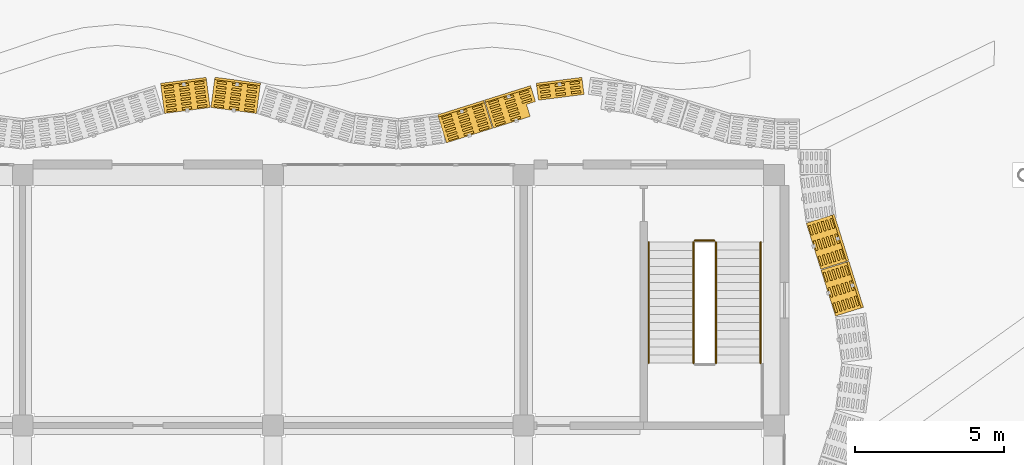
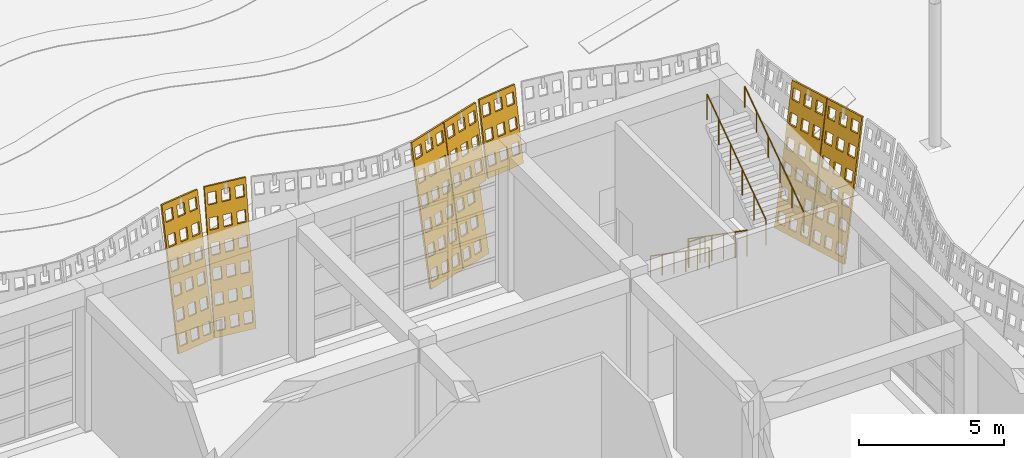
# One storey, part 163 of 210: 7 coverings, 5 railings.
"""IFC4 building model written with IfcOpenShell, lengths in metres."""

from ifc_helpers import new_model, si_unit, direction, frame, origin, origin_2d, place, context, subcontext, project, spatial, polyline, circle, outline, extrude, material, layer, layer_set, type_object, element, save


model = new_model("IFC4")

# Units and contexts
model_context = context("Model", 3, precision=1e-05, world=origin(), true_north=direction((0.0, 1.0)))
body_context = subcontext(model_context, "Body", "Model", "MODEL_VIEW")
ifc_project = project(units=[si_unit("LENGTHUNIT", "METRE"), si_unit("AREAUNIT", "SQUARE_METRE"), si_unit("VOLUMEUNIT", "CUBIC_METRE"), si_unit("PLANEANGLEUNIT", "RADIAN"), si_unit("MASSUNIT", "GRAM", prefix="KILO")], contexts=[model_context])

# Site, building, storey
site_placement = place(None, origin())
site = spatial("IfcSite", under=ifc_project, at=site_placement, CompositionType="ELEMENT")
building_placement = place(site_placement, origin())
building = spatial("IfcBuilding", under=site, at=building_placement, Name="Rain Tree Exposition and Congress Centre", CompositionType="ELEMENT")
storey_placement = place(building_placement, origin())
storey = spatial("IfcBuildingStorey", under=building, at=storey_placement, Name="L00", CompositionType="ELEMENT", Elevation=0.0)

# Coverings
ifc_material_1 = material(Name="Perforated terracotta", Category="masonry")
ifc_layer = layer(ifc_material_1, 0.080078125)
ifc_layer_set = layer_set([ifc_layer], Name="Perforated terracotta")
covering_type = type_object("IfcCoveringType", Name="Terracotta screen 80", PredefinedType="CLADDING", material=ifc_layer_set)
covering_1_placement = place(storey_placement, frame((52.544921875, 45.675048828125, 0.0), z_axis=(-0.942480618158, -0.295859611525, 0.155555053482), x_axis=(0.29950542383, -0.954094597562, 0.0)))
element("IfcCovering", 1, at=covering_1_placement, inside=storey, type_object=covering_type, Name="wing/screen/L00/064", PredefinedType="CLADDING", context=body_context, shape_type="SweptSolid", body=[
    extrude(outline(polyline([(-0.02197265625, 5.808349609375), (-0.02197265625, 0.0), (-1.635986328125, 0.0), (-1.635986328125, 5.808349609375), (-0.02197265625, 5.808349609375)]), holes=[polyline([(-0.124267578125, 0.249755859375), (-0.124267578125, 0.71826171875), (-0.457763671875, 0.71826171875), (-0.457763671875, 0.249755859375), (-0.124267578125, 0.249755859375)]), polyline([(-0.124267578125, 1.218017578125), (-0.124267578125, 1.686279296875), (-0.457763671875, 1.686279296875), (-0.457763671875, 1.218017578125), (-0.124267578125, 1.218017578125)]), polyline([(-0.124267578125, 2.18603515625), (-0.124267578125, 2.654296875), (-0.457763671875, 2.654296875), (-0.457763671875, 2.18603515625), (-0.124267578125, 2.18603515625)]), polyline([(-0.124267578125, 3.154052734375), (-0.124267578125, 3.62255859375), (-0.457763671875, 3.62255859375), (-0.457763671875, 3.154052734375), (-0.124267578125, 3.154052734375)]), polyline([(-0.124267578125, 4.1220703125), (-0.124267578125, 4.590576171875), (-0.457763671875, 4.590576171875), (-0.457763671875, 4.1220703125), (-0.124267578125, 4.1220703125)]), polyline([(-0.124267578125, 5.090087890625), (-0.124267578125, 5.55859375), (-0.457763671875, 5.55859375), (-0.457763671875, 5.090087890625), (-0.124267578125, 5.090087890625)]), polyline([(-0.662109375, 0.249755859375), (-0.662109375, 0.71826171875), (-0.995849609375, 0.71826171875), (-0.995849609375, 0.249755859375), (-0.662109375, 0.249755859375)]), polyline([(-0.662109375, 1.218017578125), (-0.662109375, 1.686279296875), (-0.995849609375, 1.686279296875), (-0.995849609375, 1.218017578125), (-0.662109375, 1.218017578125)]), polyline([(-0.662109375, 2.18603515625), (-0.662109375, 2.654296875), (-0.995849609375, 2.654296875), (-0.995849609375, 2.18603515625), (-0.662109375, 2.18603515625)]), polyline([(-0.662109375, 3.154052734375), (-0.662109375, 3.62255859375), (-0.995849609375, 3.62255859375), (-0.995849609375, 3.154052734375), (-0.662109375, 3.154052734375)]), polyline([(-0.662109375, 4.1220703125), (-0.662109375, 4.590576171875), (-0.995849609375, 4.590576171875), (-0.995849609375, 4.1220703125), (-0.662109375, 4.1220703125)]), polyline([(-0.662109375, 5.090087890625), (-0.662109375, 5.55859375), (-0.995849609375, 5.55859375), (-0.995849609375, 5.090087890625), (-0.662109375, 5.090087890625)]), polyline([(-1.2001953125, 0.249755859375), (-1.2001953125, 0.71826171875), (-1.53369140625, 0.71826171875), (-1.53369140625, 0.249755859375), (-1.2001953125, 0.249755859375)]), polyline([(-1.2001953125, 1.218017578125), (-1.2001953125, 1.686279296875), (-1.53369140625, 1.686279296875), (-1.53369140625, 1.218017578125), (-1.2001953125, 1.218017578125)]), polyline([(-1.2001953125, 2.18603515625), (-1.2001953125, 2.654296875), (-1.53369140625, 2.654296875), (-1.53369140625, 2.18603515625), (-1.2001953125, 2.18603515625)]), polyline([(-1.2001953125, 3.154052734375), (-1.2001953125, 3.62255859375), (-1.53369140625, 3.62255859375), (-1.53369140625, 3.154052734375), (-1.2001953125, 3.154052734375)]), polyline([(-1.2001953125, 4.1220703125), (-1.2001953125, 4.590576171875), (-1.53369140625, 4.590576171875), (-1.53369140625, 4.1220703125), (-1.2001953125, 4.1220703125)]), polyline([(-1.2001953125, 5.090087890625), (-1.2001953125, 5.55859375), (-1.53369140625, 5.55859375), (-1.53369140625, 5.090087890625), (-1.2001953125, 5.090087890625)])]), origin(), (0.0, 0.0, 1.0), 0.080078125),
])
covering_2_placement = place(storey_placement, frame((52.050048828125, 47.25, 0.0), z_axis=(-0.942480618158, -0.295859611525, 0.155555053482), x_axis=(0.29950542383, -0.954094597562, 0.0)))
element("IfcCovering", 2, at=covering_2_placement, inside=storey, type_object=covering_type, Name="wing/screen/L00/065", PredefinedType="CLADDING", context=body_context, shape_type="SweptSolid", body=[
    extrude(outline(polyline([(-0.014892578125, 5.808349609375), (-0.014892578125, 0.0), (-1.635986328125, 0.0), (-1.635986328125, 5.808349609375), (-0.014892578125, 5.808349609375)]), holes=[polyline([(-0.11767578125, 0.249755859375), (-0.11767578125, 0.71826171875), (-0.45263671875, 0.71826171875), (-0.45263671875, 0.249755859375), (-0.11767578125, 0.249755859375)]), polyline([(-0.11767578125, 1.218017578125), (-0.11767578125, 1.686279296875), (-0.45263671875, 1.686279296875), (-0.45263671875, 1.218017578125), (-0.11767578125, 1.218017578125)]), polyline([(-0.11767578125, 2.18603515625), (-0.11767578125, 2.654296875), (-0.45263671875, 2.654296875), (-0.45263671875, 2.18603515625), (-0.11767578125, 2.18603515625)]), polyline([(-0.11767578125, 3.154052734375), (-0.11767578125, 3.62255859375), (-0.45263671875, 3.62255859375), (-0.45263671875, 3.154052734375), (-0.11767578125, 3.154052734375)]), polyline([(-0.11767578125, 4.1220703125), (-0.11767578125, 4.590576171875), (-0.45263671875, 4.590576171875), (-0.45263671875, 4.1220703125), (-0.11767578125, 4.1220703125)]), polyline([(-0.11767578125, 5.090087890625), (-0.11767578125, 5.55859375), (-0.45263671875, 5.55859375), (-0.45263671875, 5.090087890625), (-0.11767578125, 5.090087890625)]), polyline([(-0.657958984375, 0.249755859375), (-0.657958984375, 0.71826171875), (-0.992919921875, 0.71826171875), (-0.992919921875, 0.249755859375), (-0.657958984375, 0.249755859375)]), polyline([(-0.657958984375, 1.218017578125), (-0.657958984375, 1.686279296875), (-0.992919921875, 1.686279296875), (-0.992919921875, 1.218017578125), (-0.657958984375, 1.218017578125)]), polyline([(-0.657958984375, 2.18603515625), (-0.657958984375, 2.654296875), (-0.992919921875, 2.654296875), (-0.992919921875, 2.18603515625), (-0.657958984375, 2.18603515625)]), polyline([(-0.657958984375, 3.154052734375), (-0.657958984375, 3.62255859375), (-0.992919921875, 3.62255859375), (-0.992919921875, 3.154052734375), (-0.657958984375, 3.154052734375)]), polyline([(-0.657958984375, 4.1220703125), (-0.657958984375, 4.590576171875), (-0.992919921875, 4.590576171875), (-0.992919921875, 4.1220703125), (-0.657958984375, 4.1220703125)]), polyline([(-0.657958984375, 5.090087890625), (-0.657958984375, 5.55859375), (-0.992919921875, 5.55859375), (-0.992919921875, 5.090087890625), (-0.657958984375, 5.090087890625)]), polyline([(-1.1982421875, 0.249755859375), (-1.1982421875, 0.71826171875), (-1.533203125, 0.71826171875), (-1.533203125, 0.249755859375), (-1.1982421875, 0.249755859375)]), polyline([(-1.1982421875, 1.218017578125), (-1.1982421875, 1.686279296875), (-1.533203125, 1.686279296875), (-1.533203125, 1.218017578125), (-1.1982421875, 1.218017578125)]), polyline([(-1.1982421875, 2.18603515625), (-1.1982421875, 2.654296875), (-1.533203125, 2.654296875), (-1.533203125, 2.18603515625), (-1.1982421875, 2.18603515625)]), polyline([(-1.1982421875, 3.154052734375), (-1.1982421875, 3.62255859375), (-1.533203125, 3.62255859375), (-1.533203125, 3.154052734375), (-1.1982421875, 3.154052734375)]), polyline([(-1.1982421875, 4.1220703125), (-1.1982421875, 4.590576171875), (-1.533203125, 4.590576171875), (-1.533203125, 4.1220703125), (-1.1982421875, 4.1220703125)]), polyline([(-1.1982421875, 5.090087890625), (-1.1982421875, 5.55859375), (-1.533203125, 5.55859375), (-1.533203125, 5.090087890625), (-1.1982421875, 5.090087890625)])]), origin(), (0.0, 0.0, 1.0), 0.080078125),
])
covering_3_placement = place(storey_placement, frame((44.10009765625, 52.75, 0.0), z_axis=(0.125030801275, -0.978899688033, 0.161625182136), x_axis=(0.991941518713, 0.126696580272, 0.0)))
element("IfcCovering", 3, at=covering_3_placement, inside=storey, type_object=covering_type, Name="wing/screen/L00/073", PredefinedType="CLADDING", context=body_context, shape_type="SweptSolid", body=[
    extrude(outline(polyline([(-0.025390625, 5.813720703125), (-0.025390625, 2.736083984375), (-1.56640625, 2.736083984375), (-1.56640625, 5.813720703125), (-0.025390625, 5.813720703125)]), holes=[polyline([(-0.123046875, 3.15673828125), (-0.123046875, 3.625732421875), (-0.44140625, 3.625732421875), (-0.44140625, 3.15673828125), (-0.123046875, 3.15673828125)]), polyline([(-0.123046875, 4.125732421875), (-0.123046875, 4.594482421875), (-0.44140625, 4.594482421875), (-0.44140625, 4.125732421875), (-0.123046875, 4.125732421875)]), polyline([(-0.123046875, 5.0947265625), (-0.123046875, 5.5634765625), (-0.44140625, 5.5634765625), (-0.44140625, 5.0947265625), (-0.123046875, 5.0947265625)]), polyline([(-0.63671875, 3.15673828125), (-0.63671875, 3.625732421875), (-0.955078125, 3.625732421875), (-0.955078125, 3.15673828125), (-0.63671875, 3.15673828125)]), polyline([(-0.63671875, 4.125732421875), (-0.63671875, 4.594482421875), (-0.955078125, 4.594482421875), (-0.955078125, 4.125732421875), (-0.63671875, 4.125732421875)]), polyline([(-0.63671875, 5.0947265625), (-0.63671875, 5.5634765625), (-0.955078125, 5.5634765625), (-0.955078125, 5.0947265625), (-0.63671875, 5.0947265625)]), polyline([(-1.150146484375, 3.15673828125), (-1.150146484375, 3.625732421875), (-1.46875, 3.625732421875), (-1.46875, 3.15673828125), (-1.150146484375, 3.15673828125)]), polyline([(-1.150146484375, 4.125732421875), (-1.150146484375, 4.594482421875), (-1.46875, 4.594482421875), (-1.46875, 4.125732421875), (-1.150146484375, 4.125732421875)]), polyline([(-1.150146484375, 5.0947265625), (-1.150146484375, 5.5634765625), (-1.46875, 5.5634765625), (-1.46875, 5.0947265625), (-1.150146484375, 5.0947265625)])]), origin(), (0.0, 0.0, 1.0), 0.080078125),
])
covering_4_placement = place(storey_placement, frame((42.52490234375, 52.544921875, 0.0), z_axis=(0.295859611525, -0.942480618158, 0.155555053482), x_axis=(0.954094597562, 0.29950542383, 0.0)))
element("IfcCovering", 4, at=covering_4_placement, inside=storey, type_object=covering_type, Name="wing/screen/L00/074", PredefinedType="CLADDING", context=body_context, shape_type="SweptSolid", body=[
    extrude(outline(polyline([(-0.02197265625, 5.808349609375), (-0.02197265625, 2.7333984375), (-0.3408203125, 2.7333984375), (-0.3408203125, 0.0), (-1.635986328125, 0.0), (-1.635986328125, 5.808349609375), (-0.02197265625, 5.808349609375)]), holes=[polyline([(-0.124267578125, 3.154052734375), (-0.124267578125, 3.62255859375), (-0.457763671875, 3.62255859375), (-0.457763671875, 3.154052734375), (-0.124267578125, 3.154052734375)]), polyline([(-0.124267578125, 4.1220703125), (-0.124267578125, 4.590576171875), (-0.457763671875, 4.590576171875), (-0.457763671875, 4.1220703125), (-0.124267578125, 4.1220703125)]), polyline([(-0.124267578125, 5.090087890625), (-0.124267578125, 5.55859375), (-0.457763671875, 5.55859375), (-0.457763671875, 5.090087890625), (-0.124267578125, 5.090087890625)]), polyline([(-0.662109375, 0.249755859375), (-0.662109375, 0.71826171875), (-0.995849609375, 0.71826171875), (-0.995849609375, 0.249755859375), (-0.662109375, 0.249755859375)]), polyline([(-0.662109375, 1.218017578125), (-0.662109375, 1.686279296875), (-0.995849609375, 1.686279296875), (-0.995849609375, 1.218017578125), (-0.662109375, 1.218017578125)]), polyline([(-0.662109375, 2.18603515625), (-0.662109375, 2.654296875), (-0.995849609375, 2.654296875), (-0.995849609375, 2.18603515625), (-0.662109375, 2.18603515625)]), polyline([(-0.662109375, 3.154052734375), (-0.662109375, 3.62255859375), (-0.995849609375, 3.62255859375), (-0.995849609375, 3.154052734375), (-0.662109375, 3.154052734375)]), polyline([(-0.662109375, 4.1220703125), (-0.662109375, 4.590576171875), (-0.995849609375, 4.590576171875), (-0.995849609375, 4.1220703125), (-0.662109375, 4.1220703125)]), polyline([(-0.662109375, 5.090087890625), (-0.662109375, 5.55859375), (-0.995849609375, 5.55859375), (-0.995849609375, 5.090087890625), (-0.662109375, 5.090087890625)]), polyline([(-1.2001953125, 0.249755859375), (-1.2001953125, 0.71826171875), (-1.53369140625, 0.71826171875), (-1.53369140625, 0.249755859375), (-1.2001953125, 0.249755859375)]), polyline([(-1.2001953125, 1.218017578125), (-1.2001953125, 1.686279296875), (-1.53369140625, 1.686279296875), (-1.53369140625, 1.218017578125), (-1.2001953125, 1.218017578125)]), polyline([(-1.2001953125, 2.18603515625), (-1.2001953125, 2.654296875), (-1.53369140625, 2.654296875), (-1.53369140625, 2.18603515625), (-1.2001953125, 2.18603515625)]), polyline([(-1.2001953125, 3.154052734375), (-1.2001953125, 3.62255859375), (-1.53369140625, 3.62255859375), (-1.53369140625, 3.154052734375), (-1.2001953125, 3.154052734375)]), polyline([(-1.2001953125, 4.1220703125), (-1.2001953125, 4.590576171875), (-1.53369140625, 4.590576171875), (-1.53369140625, 4.1220703125), (-1.2001953125, 4.1220703125)]), polyline([(-1.2001953125, 5.090087890625), (-1.2001953125, 5.55859375), (-1.53369140625, 5.55859375), (-1.53369140625, 5.090087890625), (-1.2001953125, 5.090087890625)])]), origin(), (0.0, 0.0, 1.0), 0.080078125),
])
covering_5_placement = place(storey_placement, frame((40.949951171875, 52.050048828125, 0.0), z_axis=(0.295859611525, -0.942480618158, 0.155555053482), x_axis=(0.954094597562, 0.29950542383, 0.0)))
element("IfcCovering", 5, at=covering_5_placement, inside=storey, type_object=covering_type, Name="wing/screen/L00/075", PredefinedType="CLADDING", context=body_context, shape_type="SweptSolid", body=[
    extrude(outline(polyline([(-0.014892578125, 5.808349609375), (-0.014892578125, 0.0), (-1.635986328125, 0.0), (-1.635986328125, 5.808349609375), (-0.014892578125, 5.808349609375)]), holes=[polyline([(-0.11767578125, 0.249755859375), (-0.11767578125, 0.71826171875), (-0.45263671875, 0.71826171875), (-0.45263671875, 0.249755859375), (-0.11767578125, 0.249755859375)]), polyline([(-0.11767578125, 1.218017578125), (-0.11767578125, 1.686279296875), (-0.45263671875, 1.686279296875), (-0.45263671875, 1.218017578125), (-0.11767578125, 1.218017578125)]), polyline([(-0.11767578125, 2.18603515625), (-0.11767578125, 2.654296875), (-0.45263671875, 2.654296875), (-0.45263671875, 2.18603515625), (-0.11767578125, 2.18603515625)]), polyline([(-0.11767578125, 3.154052734375), (-0.11767578125, 3.62255859375), (-0.45263671875, 3.62255859375), (-0.45263671875, 3.154052734375), (-0.11767578125, 3.154052734375)]), polyline([(-0.11767578125, 4.1220703125), (-0.11767578125, 4.590576171875), (-0.45263671875, 4.590576171875), (-0.45263671875, 4.1220703125), (-0.11767578125, 4.1220703125)]), polyline([(-0.11767578125, 5.090087890625), (-0.11767578125, 5.55859375), (-0.45263671875, 5.55859375), (-0.45263671875, 5.090087890625), (-0.11767578125, 5.090087890625)]), polyline([(-0.657958984375, 0.249755859375), (-0.657958984375, 0.71826171875), (-0.992919921875, 0.71826171875), (-0.992919921875, 0.249755859375), (-0.657958984375, 0.249755859375)]), polyline([(-0.657958984375, 1.218017578125), (-0.657958984375, 1.686279296875), (-0.992919921875, 1.686279296875), (-0.992919921875, 1.218017578125), (-0.657958984375, 1.218017578125)]), polyline([(-0.657958984375, 2.18603515625), (-0.657958984375, 2.654296875), (-0.992919921875, 2.654296875), (-0.992919921875, 2.18603515625), (-0.657958984375, 2.18603515625)]), polyline([(-0.657958984375, 3.154052734375), (-0.657958984375, 3.62255859375), (-0.992919921875, 3.62255859375), (-0.992919921875, 3.154052734375), (-0.657958984375, 3.154052734375)]), polyline([(-0.657958984375, 4.1220703125), (-0.657958984375, 4.590576171875), (-0.992919921875, 4.590576171875), (-0.992919921875, 4.1220703125), (-0.657958984375, 4.1220703125)]), polyline([(-0.657958984375, 5.090087890625), (-0.657958984375, 5.55859375), (-0.992919921875, 5.55859375), (-0.992919921875, 5.090087890625), (-0.657958984375, 5.090087890625)]), polyline([(-1.1982421875, 0.249755859375), (-1.1982421875, 0.71826171875), (-1.533203125, 0.71826171875), (-1.533203125, 0.249755859375), (-1.1982421875, 0.249755859375)]), polyline([(-1.1982421875, 1.218017578125), (-1.1982421875, 1.686279296875), (-1.533203125, 1.686279296875), (-1.533203125, 1.218017578125), (-1.1982421875, 1.218017578125)]), polyline([(-1.1982421875, 2.18603515625), (-1.1982421875, 2.654296875), (-1.533203125, 2.654296875), (-1.533203125, 2.18603515625), (-1.1982421875, 2.18603515625)]), polyline([(-1.1982421875, 3.154052734375), (-1.1982421875, 3.62255859375), (-1.533203125, 3.62255859375), (-1.533203125, 3.154052734375), (-1.1982421875, 3.154052734375)]), polyline([(-1.1982421875, 4.1220703125), (-1.1982421875, 4.590576171875), (-1.533203125, 4.590576171875), (-1.533203125, 4.1220703125), (-1.1982421875, 4.1220703125)]), polyline([(-1.1982421875, 5.090087890625), (-1.1982421875, 5.55859375), (-1.533203125, 5.55859375), (-1.533203125, 5.090087890625), (-1.1982421875, 5.090087890625)])]), origin(), (0.0, 0.0, 1.0), 0.080078125),
])
covering_6_placement = place(storey_placement, frame((33.074951171875, 52.544921875, 0.0), z_axis=(-0.12841394929, -0.978391994594, 0.162046174105), x_axis=(0.991496427865, -0.130133906157, 0.0)))
element("IfcCovering", 6, at=covering_6_placement, inside=storey, type_object=covering_type, Name="wing/screen/L00/080", PredefinedType="CLADDING", context=body_context, shape_type="SweptSolid", body=[
    extrude(outline(polyline([(-0.02197265625, 5.813720703125), (-0.02197265625, 0.0), (-1.56298828125, 0.0), (-1.56298828125, 5.813720703125), (-0.02197265625, 5.813720703125)]), holes=[polyline([(-0.11962890625, 0.25), (-0.11962890625, 0.718994140625), (-0.43798828125, 0.718994140625), (-0.43798828125, 0.25), (-0.11962890625, 0.25)]), polyline([(-0.11962890625, 1.218994140625), (-0.11962890625, 1.687744140625), (-0.43798828125, 1.687744140625), (-0.43798828125, 1.218994140625), (-0.11962890625, 1.218994140625)]), polyline([(-0.11962890625, 2.18798828125), (-0.11962890625, 2.65673828125), (-0.43798828125, 2.65673828125), (-0.43798828125, 2.18798828125), (-0.11962890625, 2.18798828125)]), polyline([(-0.11962890625, 3.15673828125), (-0.11962890625, 3.625732421875), (-0.43798828125, 3.625732421875), (-0.43798828125, 3.15673828125), (-0.11962890625, 3.15673828125)]), polyline([(-0.11962890625, 4.125732421875), (-0.11962890625, 4.594482421875), (-0.43798828125, 4.594482421875), (-0.43798828125, 4.125732421875), (-0.11962890625, 4.125732421875)]), polyline([(-0.11962890625, 5.0947265625), (-0.11962890625, 5.5634765625), (-0.43798828125, 5.5634765625), (-0.43798828125, 5.0947265625), (-0.11962890625, 5.0947265625)]), polyline([(-0.63330078125, 0.25), (-0.63330078125, 0.718994140625), (-0.95166015625, 0.718994140625), (-0.95166015625, 0.25), (-0.63330078125, 0.25)]), polyline([(-0.63330078125, 1.218994140625), (-0.63330078125, 1.687744140625), (-0.95166015625, 1.687744140625), (-0.95166015625, 1.218994140625), (-0.63330078125, 1.218994140625)]), polyline([(-0.63330078125, 2.18798828125), (-0.63330078125, 2.65673828125), (-0.95166015625, 2.65673828125), (-0.95166015625, 2.18798828125), (-0.63330078125, 2.18798828125)]), polyline([(-0.63330078125, 3.15673828125), (-0.63330078125, 3.625732421875), (-0.95166015625, 3.625732421875), (-0.95166015625, 3.15673828125), (-0.63330078125, 3.15673828125)]), polyline([(-0.63330078125, 4.125732421875), (-0.63330078125, 4.594482421875), (-0.95166015625, 4.594482421875), (-0.95166015625, 4.125732421875), (-0.63330078125, 4.125732421875)]), polyline([(-0.63330078125, 5.0947265625), (-0.63330078125, 5.5634765625), (-0.95166015625, 5.5634765625), (-0.95166015625, 5.0947265625), (-0.63330078125, 5.0947265625)]), polyline([(-1.146728515625, 0.25), (-1.146728515625, 0.718994140625), (-1.46533203125, 0.718994140625), (-1.46533203125, 0.25), (-1.146728515625, 0.25)]), polyline([(-1.146728515625, 1.218994140625), (-1.146728515625, 1.687744140625), (-1.46533203125, 1.687744140625), (-1.46533203125, 1.218994140625), (-1.146728515625, 1.218994140625)]), polyline([(-1.146728515625, 2.18798828125), (-1.146728515625, 2.65673828125), (-1.46533203125, 2.65673828125), (-1.46533203125, 2.18798828125), (-1.146728515625, 2.18798828125)]), polyline([(-1.146728515625, 3.15673828125), (-1.146728515625, 3.625732421875), (-1.46533203125, 3.625732421875), (-1.46533203125, 3.15673828125), (-1.146728515625, 3.15673828125)]), polyline([(-1.146728515625, 4.125732421875), (-1.146728515625, 4.594482421875), (-1.46533203125, 4.594482421875), (-1.46533203125, 4.125732421875), (-1.146728515625, 4.125732421875)]), polyline([(-1.146728515625, 5.0947265625), (-1.146728515625, 5.5634765625), (-1.46533203125, 5.5634765625), (-1.46533203125, 5.0947265625), (-1.146728515625, 5.0947265625)])]), origin(), (0.0, 0.0, 1.0), 0.079833984375),
])
covering_7_placement = place(storey_placement, frame((31.5, 52.75, 0.0), z_axis=(0.1280309309, -0.978522114732, 0.161562841373), x_axis=(0.991548658387, 0.129735338481, 0.0)))
element("IfcCovering", 7, at=covering_7_placement, inside=storey, type_object=covering_type, Name="wing/screen/L00/081", PredefinedType="CLADDING", context=body_context, shape_type="SweptSolid", body=[
    extrude(outline(polyline([(-0.025390625, 5.813720703125), (-0.025390625, 0.0), (-1.56640625, 0.0), (-1.56640625, 5.813720703125), (-0.025390625, 5.813720703125)]), holes=[polyline([(-0.123046875, 0.25), (-0.123046875, 0.718994140625), (-0.44140625, 0.718994140625), (-0.44140625, 0.25), (-0.123046875, 0.25)]), polyline([(-0.123046875, 1.218994140625), (-0.123046875, 1.687744140625), (-0.44140625, 1.687744140625), (-0.44140625, 1.218994140625), (-0.123046875, 1.218994140625)]), polyline([(-0.123046875, 2.18798828125), (-0.123046875, 2.65673828125), (-0.44140625, 2.65673828125), (-0.44140625, 2.18798828125), (-0.123046875, 2.18798828125)]), polyline([(-0.123046875, 3.15673828125), (-0.123046875, 3.625732421875), (-0.44140625, 3.625732421875), (-0.44140625, 3.15673828125), (-0.123046875, 3.15673828125)]), polyline([(-0.123046875, 4.125732421875), (-0.123046875, 4.594482421875), (-0.44140625, 4.594482421875), (-0.44140625, 4.125732421875), (-0.123046875, 4.125732421875)]), polyline([(-0.123046875, 5.0947265625), (-0.123046875, 5.5634765625), (-0.44140625, 5.5634765625), (-0.44140625, 5.0947265625), (-0.123046875, 5.0947265625)]), polyline([(-0.63671875, 0.25), (-0.63671875, 0.718994140625), (-0.955078125, 0.718994140625), (-0.955078125, 0.25), (-0.63671875, 0.25)]), polyline([(-0.63671875, 1.218994140625), (-0.63671875, 1.687744140625), (-0.955078125, 1.687744140625), (-0.955078125, 1.218994140625), (-0.63671875, 1.218994140625)]), polyline([(-0.63671875, 2.18798828125), (-0.63671875, 2.65673828125), (-0.955078125, 2.65673828125), (-0.955078125, 2.18798828125), (-0.63671875, 2.18798828125)]), polyline([(-0.63671875, 3.15673828125), (-0.63671875, 3.625732421875), (-0.955078125, 3.625732421875), (-0.955078125, 3.15673828125), (-0.63671875, 3.15673828125)]), polyline([(-0.63671875, 4.125732421875), (-0.63671875, 4.594482421875), (-0.955078125, 4.594482421875), (-0.955078125, 4.125732421875), (-0.63671875, 4.125732421875)]), polyline([(-0.63671875, 5.0947265625), (-0.63671875, 5.5634765625), (-0.955078125, 5.5634765625), (-0.955078125, 5.0947265625), (-0.63671875, 5.0947265625)]), polyline([(-1.150146484375, 0.25), (-1.150146484375, 0.718994140625), (-1.46875, 0.718994140625), (-1.46875, 0.25), (-1.150146484375, 0.25)]), polyline([(-1.150146484375, 1.218994140625), (-1.150146484375, 1.687744140625), (-1.46875, 1.687744140625), (-1.46875, 1.218994140625), (-1.150146484375, 1.218994140625)]), polyline([(-1.150146484375, 2.18798828125), (-1.150146484375, 2.65673828125), (-1.46875, 2.65673828125), (-1.46875, 2.18798828125), (-1.150146484375, 2.18798828125)]), polyline([(-1.150146484375, 3.15673828125), (-1.150146484375, 3.625732421875), (-1.46875, 3.625732421875), (-1.46875, 3.15673828125), (-1.150146484375, 3.15673828125)]), polyline([(-1.150146484375, 4.125732421875), (-1.150146484375, 4.594482421875), (-1.46875, 4.594482421875), (-1.46875, 4.125732421875), (-1.150146484375, 4.125732421875)]), polyline([(-1.150146484375, 5.0947265625), (-1.150146484375, 5.5634765625), (-1.46875, 5.5634765625), (-1.46875, 5.0947265625), (-1.150146484375, 5.0947265625)])]), origin(), (0.0, 0.0, 1.0), 0.080078125),
])

# Railings
ifc_material_2 = material(Name="Steel S355J2H", Category="steel")
railing_type_1 = type_object("IfcRailingType", Name="Wing stair guard 1100", PredefinedType="GUARDRAIL", material=ifc_material_2)
railing_1_placement = place(storey_placement, frame((47.699951171875, 48.14990234375, 0.1875)))
element("IfcRailing", 8, at=railing_1_placement, inside=storey, type_object=railing_type_1, Name="L00 ST-W4 stair guard 1", PredefinedType="GUARDRAIL", context=body_context, shape_type="SweptSolid", body=[
    extrude(circle(Radius=0.02392578125, at=origin_2d()), frame((0.0, 0.0, 1.076171875), z_axis=(0.0, -0.821357077609, 0.57041436786), x_axis=(1.0, 0.0, 0.0)), (0.0, 0.0, 1.0), 4.9306640625),
    extrude(circle(Radius=0.02099609375, at=origin_2d()), origin(), (0.0, 0.0, 1.0), 1.052001953125),
    extrude(circle(Radius=0.02099609375, at=origin_2d()), frame((0.0, -0.81005859375, 0.5625)), (0.0, 0.0, 1.0), 1.052001953125),
    extrude(circle(Radius=0.02099609375, at=origin_2d()), frame((0.0, -1.619873046875, 1.125)), (0.0, 0.0, 1.0), 1.052001953125),
    extrude(circle(Radius=0.02099609375, at=origin_2d()), frame((0.0, -2.429931640625, 1.6875)), (0.0, 0.0, 1.0), 1.052001953125),
    extrude(circle(Radius=0.02099609375, at=origin_2d()), frame((0.0, -3.23974609375, 2.25)), (0.0, 0.0, 1.0), 1.052001953125),
    extrude(circle(Radius=0.02099609375, at=origin_2d()), frame((0.0, -4.0498046875, 2.8125)), (0.0, 0.0, 1.0), 1.052001953125),
])
railing_2_placement = place(storey_placement, frame((48.449951171875, 44.10009765625, 3.1875)))
element("IfcRailing", 9, at=railing_2_placement, inside=storey, type_object=railing_type_1, Name="L00 ST-W4 stair guard 3", PredefinedType="GUARDRAIL", context=body_context, shape_type="SweptSolid", body=[
    extrude(circle(Radius=0.02392578125, at=origin_2d()), frame((0.0, 0.0, 1.076171875), z_axis=(0.0, 0.821357077609, 0.57041436786), x_axis=(-1.0, 0.0, 0.0)), (0.0, 0.0, 1.0), 4.9306640625),
    extrude(circle(Radius=0.02099609375, at=origin_2d()), origin(), (0.0, 0.0, 1.0), 1.052001953125),
    extrude(circle(Radius=0.02099609375, at=origin_2d()), frame((0.0, 0.81005859375, 0.5625)), (0.0, 0.0, 1.0), 1.052001953125),
    extrude(circle(Radius=0.02099609375, at=origin_2d()), frame((0.0, 1.619873046875, 1.125)), (0.0, 0.0, 1.0), 1.052001953125),
    extrude(circle(Radius=0.02099609375, at=origin_2d()), frame((0.0, 2.429931640625, 1.6875)), (0.0, 0.0, 1.0), 1.052001953125),
    extrude(circle(Radius=0.02099609375, at=origin_2d()), frame((0.0, 3.23974609375, 2.25)), (0.0, 0.0, 1.0), 1.052001953125),
    extrude(circle(Radius=0.02099609375, at=origin_2d()), frame((0.0, 4.0498046875, 2.8125)), (0.0, 0.0, 1.0), 1.052001953125),
])
railing_3_placement = place(storey_placement, frame((47.75, 48.199951171875, 0.0)))
element("IfcRailing", 10, at=railing_3_placement, inside=storey, type_object=railing_type_1, Name="L00 ST-W4 stair guard 4", PredefinedType="GUARDRAIL", context=body_context, shape_type="SweptSolid", body=[
    extrude(circle(Radius=0.02392578125, at=origin_2d()), frame((0.0, 0.0, 1.076171875), z_axis=(1.0, 0.0, 0.0), x_axis=(0.0, 1.0, 0.0)), (0.0, 0.0, 1.0), 0.64990234375),
    extrude(circle(Radius=0.02099609375, at=origin_2d()), origin(), (0.0, 0.0, 1.0), 1.052001953125),
    extrude(circle(Radius=0.02099609375, at=origin_2d()), frame((0.64990234375, 0.0, 0.0)), (0.0, 0.0, 1.0), 1.052001953125),
])
ifc_material_3 = material(Name="Steel S355J2H", Category="steel")
railing_type_2 = type_object("IfcRailingType", Name="Wing stair handrail 900", PredefinedType="HANDRAIL", material=ifc_material_3)
railing_4_placement = place(storey_placement, frame((46.199951171875, 48.14990234375, 0.1875)))
element("IfcRailing", 11, at=railing_4_placement, inside=storey, type_object=railing_type_2, Name="L00 ST-W4 stair handrail 1", PredefinedType="HANDRAIL", context=body_context, shape_type="SweptSolid", body=[
    extrude(circle(Radius=0.02392578125, at=origin_2d()), frame((0.0, 0.0, 0.8759765625), z_axis=(0.0, -0.821357077609, 0.57041436786), x_axis=(1.0, 0.0, 0.0)), (0.0, 0.0, 1.0), 4.9306640625),
    extrude(circle(Radius=0.02099609375, at=origin_2d()), origin(), (0.0, 0.0, 1.0), 0.851806640625),
    extrude(circle(Radius=0.02099609375, at=origin_2d()), frame((0.0, -0.81005859375, 0.5625)), (0.0, 0.0, 1.0), 0.851806640625),
    extrude(circle(Radius=0.02099609375, at=origin_2d()), frame((0.0, -1.619873046875, 1.125)), (0.0, 0.0, 1.0), 0.851806640625),
    extrude(circle(Radius=0.02099609375, at=origin_2d()), frame((0.0, -2.429931640625, 1.6875)), (0.0, 0.0, 1.0), 0.851806640625),
    extrude(circle(Radius=0.02099609375, at=origin_2d()), frame((0.0, -3.23974609375, 2.25)), (0.0, 0.0, 1.0), 0.851806640625),
    extrude(circle(Radius=0.02099609375, at=origin_2d()), frame((0.0, -4.0498046875, 2.8125)), (0.0, 0.0, 1.0), 0.851806640625),
])
railing_5_placement = place(storey_placement, frame((49.949951171875, 44.10009765625, 3.1875)))
element("IfcRailing", 12, at=railing_5_placement, inside=storey, type_object=railing_type_2, Name="L00 ST-W4 stair handrail 2", PredefinedType="HANDRAIL", context=body_context, shape_type="SweptSolid", body=[
    extrude(circle(Radius=0.02392578125, at=origin_2d()), frame((0.0, 0.0, 0.8759765625), z_axis=(0.0, 0.821357077609, 0.57041436786), x_axis=(-1.0, 0.0, 0.0)), (0.0, 0.0, 1.0), 4.9306640625),
    extrude(circle(Radius=0.02099609375, at=origin_2d()), origin(), (0.0, 0.0, 1.0), 0.851806640625),
    extrude(circle(Radius=0.02099609375, at=origin_2d()), frame((0.0, 0.81005859375, 0.5625)), (0.0, 0.0, 1.0), 0.851806640625),
    extrude(circle(Radius=0.02099609375, at=origin_2d()), frame((0.0, 1.619873046875, 1.125)), (0.0, 0.0, 1.0), 0.851806640625),
    extrude(circle(Radius=0.02099609375, at=origin_2d()), frame((0.0, 2.429931640625, 1.6875)), (0.0, 0.0, 1.0), 0.851806640625),
    extrude(circle(Radius=0.02099609375, at=origin_2d()), frame((0.0, 3.23974609375, 2.25)), (0.0, 0.0, 1.0), 0.851806640625),
    extrude(circle(Radius=0.02099609375, at=origin_2d()), frame((0.0, 4.0498046875, 2.8125)), (0.0, 0.0, 1.0), 0.851806640625),
])

save(model, "model.ifc")
